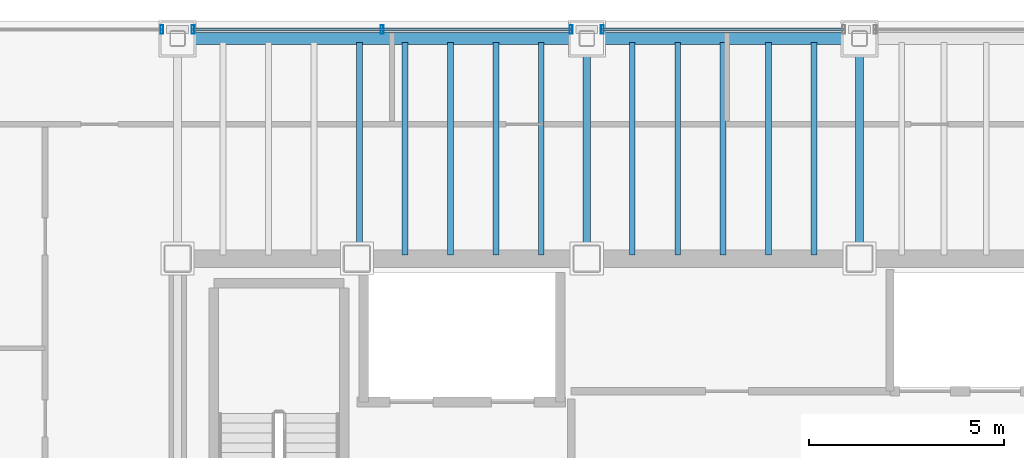
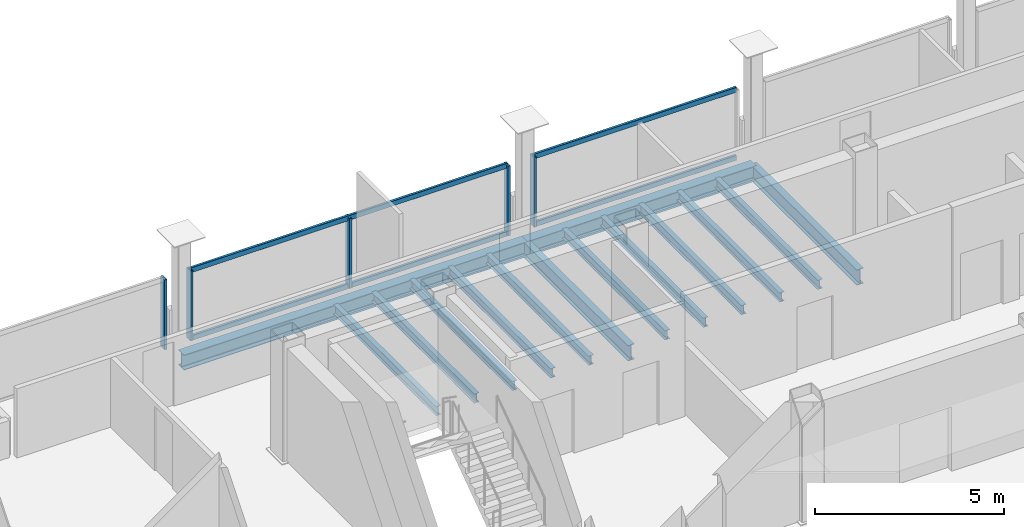
# One storey, part 8 of 16: 14 beams, 9 members, 3 elements without a shape of their own.
"""IFC4 building model written with IfcOpenShell, lengths in metres."""

from ifc_helpers import new_model, si_unit, direction, frame, origin, origin_2d, place, context, subcontext, project, spatial, hollow_rectangle, i_section, extrude, material, material_profile, profile_set, type_object, element, aggregate, save


model = new_model("IFC4")

# Units and contexts
model_context = context("Model", 3, precision=1e-05, world=origin(), true_north=direction((0.0, 1.0)))
body_context = subcontext(model_context, "Body", "Model", "MODEL_VIEW")
ifc_project = project(units=[si_unit("LENGTHUNIT", "METRE"), si_unit("AREAUNIT", "SQUARE_METRE"), si_unit("VOLUMEUNIT", "CUBIC_METRE"), si_unit("PLANEANGLEUNIT", "RADIAN"), si_unit("MASSUNIT", "GRAM", prefix="KILO")], contexts=[model_context])

# Site, building, storey
site_placement = place(None, origin())
site = spatial("IfcSite", under=ifc_project, at=site_placement, CompositionType="ELEMENT")
building_placement = place(site_placement, origin())
building = spatial("IfcBuilding", under=site, at=building_placement, Name="Noeulbin Bourse Tower", CompositionType="ELEMENT")
storey_placement = place(building_placement, frame((0.0, 0.0, 277.39990234375)))
storey = spatial("IfcBuildingStorey", under=building, at=storey_placement, Name="L69", CompositionType="ELEMENT", Elevation=277.39990234375)

# Beams
ifc_material_1 = material(Name="Steel S355", Category="steel")
ifc_material_profile_1 = material_profile(ifc_material_1, i_section(OverallWidth=0.199951171875, OverallDepth=0.5, WebThickness=0.010009765625, FlangeThickness=0.01611328125, FilletRadius=0.02001953125, at=origin_2d()), Name="H-500x200x10x16", Category="LoadBearing")
ifc_profile_set_1 = profile_set([ifc_material_profile_1], Name="Steel S355")
beam_type_1 = type_object("IfcBeamType", Name="BM-GRD-500", PredefinedType="USERDEFINED", material=ifc_profile_set_1)
for number, where, z_axis, x_axis, name in (
    (1, (24.0, 38.300048828125, -0.429931640625), (0.0, 1.0, 0.0), (-1.0, 0.0, 0.0), "Tower Primary Girder NS L69-2.4"),
    (2, (31.0, 38.300048828125, -0.429931640625), (0.0, 1.0, 0.0), (-1.0, 0.0, 0.0), "Tower Primary Girder NS L69-3.4"),
):
    element("IfcBeam", number, at=place(storey_placement, frame(where, z_axis=z_axis, x_axis=x_axis)), inside=storey, type_object=beam_type_1, Name=name, ObjectType="GIRDER", PredefinedType="USERDEFINED", context=body_context, shape_type="SweptSolid", body=[
        extrude(i_section(OverallWidth=0.199951171875, OverallDepth=0.5, WebThickness=0.010009765625, FlangeThickness=0.01611328125, FilletRadius=0.02001953125, at=origin_2d()), origin(), (0.0, 0.0, 1.0), 5.64990234375),
    ])
ifc_material_profile_2 = material_profile(ifc_material_1, i_section(OverallWidth=0.14990234375, OverallDepth=0.300048828125, WebThickness=0.006591796875, FlangeThickness=0.009033203125, FilletRadius=0.012939453125, at=origin_2d()), Name="H-300x150x6.5x9", Category="LoadBearing")
ifc_profile_set_2 = profile_set([ifc_material_profile_2], Name="Steel S355")
beam_type_2 = type_object("IfcBeamType", Name="BM-JST-300", PredefinedType="JOIST", material=ifc_profile_set_2)
for number, where, z_axis, x_axis, name in (
    (3, (18.166748046875, 38.39990234375, -0.329833984375), (0.0, 1.0, 0.0), (-1.0, 0.0, 0.0), "Tower Composite Joist L69-08"),
    (4, (19.333251953125, 38.39990234375, -0.329833984375), (0.0, 1.0, 0.0), (-1.0, 0.0, 0.0), "Tower Composite Joist L69-10"),
    (5, (20.5, 38.39990234375, -0.329833984375), (0.0, 1.0, 0.0), (-1.0, 0.0, 0.0), "Tower Composite Joist L69-12"),
    (6, (21.666748046875, 38.39990234375, -0.329833984375), (0.0, 1.0, 0.0), (-1.0, 0.0, 0.0), "Tower Composite Joist L69-14"),
    (7, (22.833251953125, 38.39990234375, -0.329833984375), (0.0, 1.0, 0.0), (-1.0, 0.0, 0.0), "Tower Composite Joist L69-16"),
    (8, (25.166748046875, 38.39990234375, -0.329833984375), (0.0, 1.0, 0.0), (-1.0, 0.0, 0.0), "Tower Composite Joist L69-18"),
    (9, (26.333251953125, 38.39990234375, -0.329833984375), (0.0, 1.0, 0.0), (-1.0, 0.0, 0.0), "Tower Composite Joist L69-20"),
    (10, (27.5, 38.39990234375, -0.329833984375), (0.0, 1.0, 0.0), (-1.0, 0.0, 0.0), "Tower Composite Joist L69-22"),
    (11, (28.666748046875, 38.39990234375, -0.329833984375), (0.0, 1.0, 0.0), (-1.0, 0.0, 0.0), "Tower Composite Joist L69-24"),
    (12, (29.833251953125, 38.39990234375, -0.329833984375), (0.0, 1.0, 0.0), (-1.0, 0.0, 0.0), "Tower Composite Joist L69-26"),
):
    element("IfcBeam", number, at=place(storey_placement, frame(where, z_axis=z_axis, x_axis=x_axis)), inside=storey, type_object=beam_type_2, Name=name, PredefinedType="JOIST", context=body_context, shape_type="SweptSolid", body=[
        extrude(i_section(OverallWidth=0.14990234375, OverallDepth=0.300048828125, WebThickness=0.006591796875, FlangeThickness=0.009033203125, FilletRadius=0.012939453125, at=origin_2d()), origin(), (0.0, 0.0, 1.0), 5.4501953125),
    ])
ifc_material_profile_3 = material_profile(ifc_material_1, i_section(OverallWidth=0.300048828125, OverallDepth=0.488037109375, WebThickness=0.010986328125, FlangeThickness=0.01806640625, FilletRadius=0.02197265625, at=origin_2d()), Name="H-488x300x11x18", Category="LoadBearing")
ifc_profile_set_3 = profile_set([ifc_material_profile_3], Name="Steel S355")
beam_type_3 = type_object("IfcBeamType", Name="BM-SPN-488", PredefinedType="SPANDREL", material=ifc_profile_set_3)
beam_1_placement = place(storey_placement, frame((13.5, 43.949951171875, -0.423828125), z_axis=(1.0, 0.0, 0.0), x_axis=(0.0, 1.0, 0.0)))
element("IfcBeam", 13, at=beam_1_placement, inside=storey, type_object=beam_type_3, Name="North Spandrel L69-1", PredefinedType="SPANDREL", context=body_context, shape_type="SweptSolid", body=[
    extrude(i_section(OverallWidth=0.300048828125, OverallDepth=0.488037109375, WebThickness=0.010986328125, FlangeThickness=0.01806640625, FilletRadius=0.02197265625, at=origin_2d()), origin(), (0.0, 0.0, 1.0), 10.5),
])
beam_2_placement = place(storey_placement, frame((24.0, 43.949951171875, -0.423828125), z_axis=(1.0, 0.0, 0.0), x_axis=(0.0, 1.0, 0.0)))
element("IfcBeam", 14, at=beam_2_placement, inside=storey, type_object=beam_type_3, Name="North Spandrel L69-2", PredefinedType="SPANDREL", context=body_context, shape_type="SweptSolid", body=[
    extrude(i_section(OverallWidth=0.300048828125, OverallDepth=0.488037109375, WebThickness=0.010986328125, FlangeThickness=0.01806640625, FilletRadius=0.02197265625, at=origin_2d()), origin(), (0.0, 0.0, 1.0), 7.0),
])

# Curtain wall, member
ifc_material_2 = material(Name="High-Selectivity Low-Iron Glazing", Category="glass")
curtain_wall_type = type_object("IfcCurtainWallType", Name="CW-SYS-4", PredefinedType="NOTDEFINED", material=ifc_material_2)
curtain_wall_1_placement = place(storey_placement, origin())
curtain_wall_1 = element("IfcCurtainWall", 15, at=curtain_wall_1_placement, inside=storey, type_object=curtain_wall_type, Name="Unitised Curtain Wall CW-L69-N-S1", PredefinedType="NOTDEFINED")
ifc_material_3 = material(Name="Anodised Aluminium 6063-T6", Category="aluminium")
ifc_material_profile_4 = material_profile(ifc_material_3, hollow_rectangle(XDim=0.074951171875, YDim=0.219970703125, WallThickness=0.0048828125, InnerFilletRadius=0.00244140625, OuterFilletRadius=0.0048828125, at=origin_2d()), Name="ALU-MULL-75x220x5", Category="LoadBearing")
ifc_profile_set_4 = profile_set([ifc_material_profile_4], Name="Anodised Aluminium 6063-T6")
member_type_1 = type_object("IfcMemberType", Name="CW-SYS-4-MUL", PredefinedType="MULLION", material=ifc_profile_set_4)
member_1_placement = place(storey_placement, frame((13.10009765625, 44.179931640625, -0.02001953125), z_axis=(0.0, 0.0, 1.0), x_axis=(1.0, 0.0, 0.0)))
member_1 = element("IfcMember", 16, at=member_1_placement, type_object=member_type_1, Name="Curtain Wall Mullion CW-L69-N-S1-M01", PredefinedType="MULLION", context=body_context, shape_type="SweptSolid", body=[
    extrude(hollow_rectangle(XDim=0.074951171875, YDim=0.219970703125, WallThickness=0.0048828125, InnerFilletRadius=0.00244140625, OuterFilletRadius=0.0048828125, at=origin_2d()), origin(), (0.0, 0.0, 1.0), 2.260009765625),
])
aggregate(curtain_wall_1, [member_1])

# Curtain wall, members
curtain_wall_2_placement = place(storey_placement, origin())
curtain_wall_2 = element("IfcCurtainWall", 17, at=curtain_wall_2_placement, inside=storey, type_object=curtain_wall_type, Name="Unitised Curtain Wall CW-L69-N-S2", PredefinedType="NOTDEFINED")
member_2_placement = place(storey_placement, frame((13.89990234375, 44.179931640625, -0.02001953125), z_axis=(0.0, 0.0, 1.0), x_axis=(1.0, 0.0, 0.0)))
member_2 = element("IfcMember", 18, at=member_2_placement, type_object=member_type_1, Name="Curtain Wall Mullion CW-L69-N-S2-M00", PredefinedType="MULLION", context=body_context, shape_type="SweptSolid", body=[
    extrude(hollow_rectangle(XDim=0.074951171875, YDim=0.219970703125, WallThickness=0.0048828125, InnerFilletRadius=0.00244140625, OuterFilletRadius=0.0048828125, at=origin_2d()), origin(), (0.0, 0.0, 1.0), 2.260009765625),
])
member_3_placement = place(storey_placement, frame((18.75, 44.179931640625, -0.02001953125), z_axis=(0.0, 0.0, 1.0), x_axis=(1.0, 0.0, 0.0)))
member_3 = element("IfcMember", 19, at=member_3_placement, type_object=member_type_1, Name="Curtain Wall Mullion CW-L69-N-S2-M01", PredefinedType="MULLION", context=body_context, shape_type="SweptSolid", body=[
    extrude(hollow_rectangle(XDim=0.074951171875, YDim=0.219970703125, WallThickness=0.0048828125, InnerFilletRadius=0.00244140625, OuterFilletRadius=0.0048828125, at=origin_2d()), origin(), (0.0, 0.0, 1.0), 2.260009765625),
])
member_4_placement = place(storey_placement, frame((23.60009765625, 44.179931640625, -0.02001953125), z_axis=(0.0, 0.0, 1.0), x_axis=(1.0, 0.0, 0.0)))
member_4 = element("IfcMember", 20, at=member_4_placement, type_object=member_type_1, Name="Curtain Wall Mullion CW-L69-N-S2-M02", PredefinedType="MULLION", context=body_context, shape_type="SweptSolid", body=[
    extrude(hollow_rectangle(XDim=0.074951171875, YDim=0.219970703125, WallThickness=0.0048828125, InnerFilletRadius=0.00244140625, OuterFilletRadius=0.0048828125, at=origin_2d()), origin(), (0.0, 0.0, 1.0), 2.260009765625),
])

# Curtain wall, member
curtain_wall_3_placement = place(storey_placement, origin())
curtain_wall_3 = element("IfcCurtainWall", 21, at=curtain_wall_3_placement, inside=storey, type_object=curtain_wall_type, Name="Unitised Curtain Wall CW-L69-N-S3", PredefinedType="NOTDEFINED")
member_5_placement = place(storey_placement, frame((24.39990234375, 44.179931640625, -0.02001953125), z_axis=(0.0, 0.0, 1.0), x_axis=(1.0, 0.0, 0.0)))
member_5 = element("IfcMember", 22, at=member_5_placement, type_object=member_type_1, Name="Curtain Wall Mullion CW-L69-N-S3-M00", PredefinedType="MULLION", context=body_context, shape_type="SweptSolid", body=[
    extrude(hollow_rectangle(XDim=0.074951171875, YDim=0.219970703125, WallThickness=0.0048828125, InnerFilletRadius=0.00244140625, OuterFilletRadius=0.0048828125, at=origin_2d()), origin(), (0.0, 0.0, 1.0), 2.260009765625),
])

# Member
ifc_material_profile_5 = material_profile(ifc_material_3, hollow_rectangle(XDim=0.074951171875, YDim=0.159912109375, WallThickness=0.0048828125, InnerFilletRadius=0.00244140625, OuterFilletRadius=0.0048828125, at=origin_2d()), Name="ALU-TRAN-75x160x5", Category="LoadBearing")
ifc_profile_set_5 = profile_set([ifc_material_profile_5], Name="Anodised Aluminium 6063-T6")
member_type_2 = type_object("IfcMemberType", Name="CW-SYS-4-TRN", PredefinedType="USERDEFINED", material=ifc_profile_set_5)
member_6_placement = place(storey_placement, frame((13.909912109375, 44.179931640625, 0.010009765625), z_axis=(1.0, 0.0, 0.0), x_axis=(0.0, 1.0, 0.0)))
member_6 = element("IfcMember", 23, at=member_6_placement, type_object=member_type_2, Name="Curtain Wall Transom CW-L69-N-S2-T00", ObjectType="TRANSOM", PredefinedType="USERDEFINED", context=body_context, shape_type="SweptSolid", body=[
    extrude(hollow_rectangle(XDim=0.074951171875, YDim=0.159912109375, WallThickness=0.0048828125, InnerFilletRadius=0.00244140625, OuterFilletRadius=0.0048828125, at=origin_2d()), origin(), (0.0, 0.0, 1.0), 9.68017578125),
])

member_7_placement = place(storey_placement, frame((13.909912109375, 44.179931640625, 2.210205078125), z_axis=(1.0, 0.0, 0.0), x_axis=(0.0, 1.0, 0.0)))
member_7 = element("IfcMember", 24, at=member_7_placement, type_object=member_type_2, Name="Curtain Wall Transom CW-L69-N-S2-T01", ObjectType="TRANSOM", PredefinedType="USERDEFINED", context=body_context, shape_type="SweptSolid", body=[
    extrude(hollow_rectangle(XDim=0.074951171875, YDim=0.159912109375, WallThickness=0.0048828125, InnerFilletRadius=0.00244140625, OuterFilletRadius=0.0048828125, at=origin_2d()), origin(), (0.0, 0.0, 1.0), 9.68017578125),
])

aggregate(curtain_wall_2, [member_2, member_3, member_4, member_6, member_7])

member_8_placement = place(storey_placement, frame((24.409912109375, 44.179931640625, 0.010009765625), z_axis=(1.0, 0.0, 0.0), x_axis=(0.0, 1.0, 0.0)))
member_8 = element("IfcMember", 25, at=member_8_placement, type_object=member_type_2, Name="Curtain Wall Transom CW-L69-N-S3-T00", ObjectType="TRANSOM", PredefinedType="USERDEFINED", context=body_context, shape_type="SweptSolid", body=[
    extrude(hollow_rectangle(XDim=0.074951171875, YDim=0.159912109375, WallThickness=0.0048828125, InnerFilletRadius=0.00244140625, OuterFilletRadius=0.0048828125, at=origin_2d()), origin(), (0.0, 0.0, 1.0), 6.18017578125),
])

member_9_placement = place(storey_placement, frame((24.409912109375, 44.179931640625, 2.210205078125), z_axis=(1.0, 0.0, 0.0), x_axis=(0.0, 1.0, 0.0)))
member_9 = element("IfcMember", 26, at=member_9_placement, type_object=member_type_2, Name="Curtain Wall Transom CW-L69-N-S3-T01", ObjectType="TRANSOM", PredefinedType="USERDEFINED", context=body_context, shape_type="SweptSolid", body=[
    extrude(hollow_rectangle(XDim=0.074951171875, YDim=0.159912109375, WallThickness=0.0048828125, InnerFilletRadius=0.00244140625, OuterFilletRadius=0.0048828125, at=origin_2d()), origin(), (0.0, 0.0, 1.0), 6.18017578125),
])

aggregate(curtain_wall_3, [member_5, member_8, member_9])

save(model, "model.ifc")
